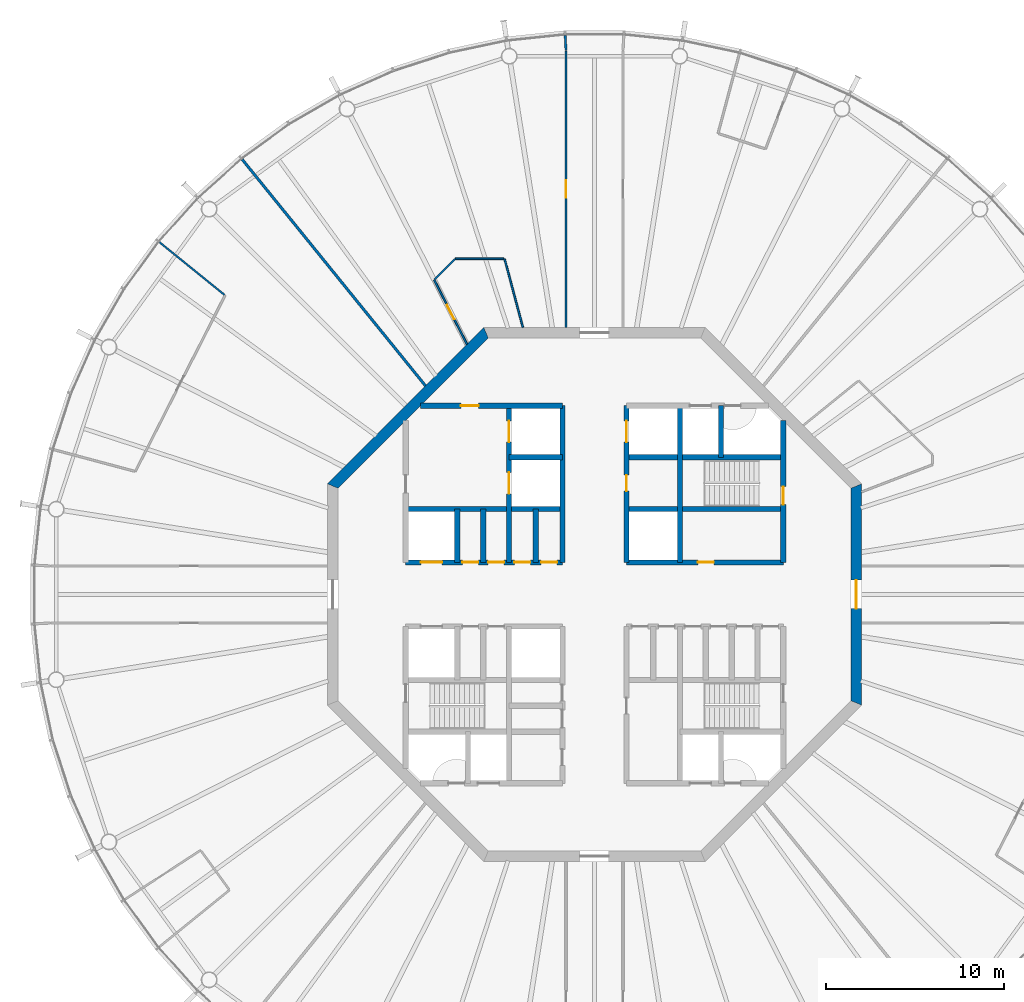
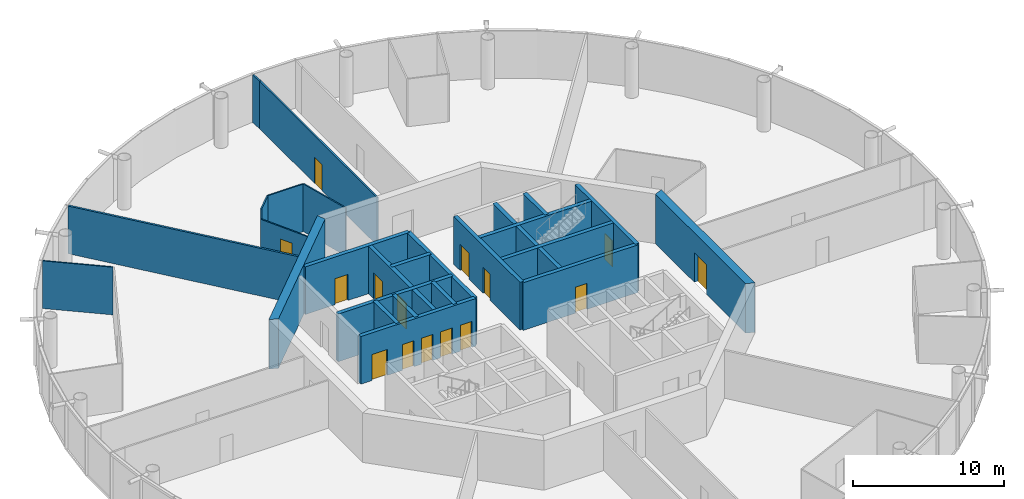
# One storey, part 5 of 18: 26 walls, 15 doors, 15 openings.
"""IFC4 building model written with IfcOpenShell, lengths in metres."""

from ifc_helpers import new_model, si_unit, direction, frame, frame_2d, origin, place, context, subcontext, project, spatial, polyline, rectangle, outline, extrude, material, layer, layer_set, type_object, element, fill, save


model = new_model("IFC4")

# Units and contexts
model_context = context("Model", 3, precision=1e-05, world=origin(), true_north=direction((0.0, 1.0)))
body_context = subcontext(model_context, "Body", "Model", "MODEL_VIEW")
ifc_project = project(units=[si_unit("LENGTHUNIT", "METRE"), si_unit("AREAUNIT", "SQUARE_METRE"), si_unit("VOLUMEUNIT", "CUBIC_METRE"), si_unit("PLANEANGLEUNIT", "RADIAN"), si_unit("MASSUNIT", "GRAM", prefix="KILO")], contexts=[model_context])

# Site, building, storey
site_placement = place(None, origin())
site = spatial("IfcSite", under=ifc_project, at=site_placement, CompositionType="ELEMENT")
building_placement = place(site_placement, origin())
building = spatial("IfcBuilding", under=site, at=building_placement, Name="Entoto Ring Tower", CompositionType="ELEMENT")
storey_placement = place(building_placement, frame((0.0, 0.0, 388.0)))
storey = spatial("IfcBuildingStorey", under=building, at=storey_placement, Name="L90", CompositionType="ELEMENT", Elevation=388.0)

# Wall, opening, door
ifc_material_1 = material(Name="Concrete C40/50", Category="concrete")
ifc_layer_1 = layer(ifc_material_1, 0.300048828125)
ifc_layer_set_1 = layer_set([ifc_layer_1], Name="Concrete C40/50")
wall_type_1 = type_object("IfcWallType", Name="Core enclosure wall 300 mm reinforced concrete", PredefinedType="SOLIDWALL", material=ifc_layer_set_1)
wall_1_placement = place(storey_placement, frame((100.60009765625, 81.800048828125, 0.0), z_axis=(0.0, 0.0, 1.0), x_axis=(0.0, 1.0, 0.0)))
wall_1 = element("IfcWall", 1, at=wall_1_placement, inside=storey, type_object=wall_type_1, Name="wall-L90-002", PredefinedType="SOLIDWALL", context=body_context, shape_type="SweptSolid", body=[
    extrude(rectangle(XDim=7.964599609375, YDim=0.300048828125, at=frame_2d((3.982421875, 0.0))), origin(), (0.0, 0.0, 1.0), 3.85009765625),
])
opening_1_placement = place(wall_1_placement, frame((3.25, 0.0, 0.0)))
opening_1 = element("IfcOpeningElement", 2, at=opening_1_placement, cuts=wall_1, Name="Opening K-29", PredefinedType="OPENING", context=body_context, shape_type="SweptSolid", body=[
    extrude(rectangle(XDim=1.0, YDim=2.10009765625, at=frame_2d((0.5, 1.050048828125))), frame((0.0, 0.16015625, 0.0), z_axis=(0.0, -1.0, 0.0), x_axis=(1.0, 0.0, 0.0)), (0.0, 0.0, 1.0), 0.320068359375),
])
ifc_material_2 = material(Name="Steel door leaf, fire rated", Category="steel")
ifc_layer_2 = layer(ifc_material_2, 0.050048828125)
ifc_layer_set_2 = layer_set([ifc_layer_2], Name="Steel door leaf, fire rated")
door_type_1 = type_object("IfcDoorType", Name="Fire door FD60 1000 x 2100 single leaf", OperationType="NOTDEFINED", PredefinedType="DOOR", material=ifc_layer_set_2)
door_1_placement = place(opening_1_placement, origin())
door_1 = element("IfcDoor", 3, at=door_1_placement, inside=storey, type_object=door_type_1, Name="Door K-29", OperationType="SINGLE_SWING_LEFT", OverallHeight=2.10009765625, OverallWidth=1.0, PredefinedType="DOOR", context=body_context, shape_type="SweptSolid", body=[
    extrude(rectangle(XDim=1.0, YDim=2.10009765625, at=frame_2d((0.5, 1.050048828125))), frame((0.0, 0.02490234375, 0.0), z_axis=(0.0, -1.0, 0.0), x_axis=(1.0, 0.0, 0.0)), (0.0, 0.0, 1.0), 0.050048828125),
])
fill(opening_1, door_1)

# Walls
wall_2_placement = place(storey_placement, frame((97.10009765625, 87.699951171875, 0.0), z_axis=(0.0, 0.0, 1.0), x_axis=(0.0, 1.0, 0.0)))
element("IfcWall", 4, at=wall_2_placement, inside=storey, type_object=wall_type_1, Name="wall-L90-006", PredefinedType="SOLIDWALL", context=body_context, shape_type="SweptSolid", body=[
    extrude(rectangle(XDim=2.900146484375, YDim=0.300048828125, at=frame_2d((1.4501953125, 0.0))), origin(), (0.0, 0.0, 1.0), 3.85009765625),
])
wall_3_placement = place(storey_placement, frame((94.800048828125, 81.800048828125, 0.0), z_axis=(0.0, 0.0, 1.0), x_axis=(0.0, 1.0, 0.0)))
element("IfcWall", 5, at=wall_3_placement, inside=storey, type_object=wall_type_1, Name="wall-L90-009", PredefinedType="SOLIDWALL", context=body_context, shape_type="SweptSolid", body=[
    extrude(rectangle(XDim=8.800048828125, YDim=0.300048828125, at=frame_2d((4.39990234375, 0.0))), origin(), (0.0, 0.0, 1.0), 3.85009765625),
])

# Wall, openings, doors
wall_4_placement = place(storey_placement, frame((91.800048828125, 81.800048828125, 0.0), z_axis=(0.0, 0.0, 1.0), x_axis=(0.0, 1.0, 0.0)))
wall_4 = element("IfcWall", 6, at=wall_4_placement, inside=storey, type_object=wall_type_1, Name="wall-L90-012", PredefinedType="SOLIDWALL", context=body_context, shape_type="SweptSolid", body=[
    extrude(rectangle(XDim=8.800048828125, YDim=0.300048828125, at=frame_2d((4.39990234375, 0.0))), origin(), (0.0, 0.0, 1.0), 3.85009765625),
])
opening_2_placement = place(wall_4_placement, frame((6.75, 0.0, 0.0)))
opening_2 = element("IfcOpeningElement", 7, at=opening_2_placement, cuts=wall_4, Name="Opening LD", PredefinedType="OPENING", context=body_context, shape_type="SweptSolid", body=[
    extrude(rectangle(XDim=1.199951171875, YDim=2.10009765625, at=frame_2d((0.60009765625, 1.050048828125))), frame((0.0, 0.16015625, 0.0), z_axis=(0.0, -1.0, 0.0), x_axis=(1.0, 0.0, 0.0)), (0.0, 0.0, 1.0), 0.320068359375),
])
opening_3_placement = place(wall_4_placement, frame((4.0, 0.0, 0.0)))
opening_3 = element("IfcOpeningElement", 8, at=opening_3_placement, cuts=wall_4, Name="Opening K-63", PredefinedType="OPENING", context=body_context, shape_type="SweptSolid", body=[
    extrude(rectangle(XDim=0.89990234375, YDim=2.10009765625, at=frame_2d((0.449951171875, 1.050048828125))), frame((0.0, 0.16015625, 0.0), z_axis=(0.0, -1.0, 0.0), x_axis=(1.0, 0.0, 0.0)), (0.0, 0.0, 1.0), 0.320068359375),
])
ifc_material_3 = material(Name="Steel door leaf, fire rated", Category="steel")
ifc_layer_3 = layer(ifc_material_3, 0.050048828125)
ifc_layer_set_3 = layer_set([ifc_layer_3], Name="Steel door leaf, fire rated")
door_type_2 = type_object("IfcDoorType", Name="Core door 900 x 2100 single leaf", OperationType="NOTDEFINED", PredefinedType="DOOR", material=ifc_layer_set_3)
door_2_placement = place(opening_3_placement, frame((0.89990234375, 0.0, 0.0), z_axis=(0.0, 0.0, 1.0), x_axis=(-1.0, 0.0, 0.0)))
door_2 = element("IfcDoor", 9, at=door_2_placement, inside=storey, type_object=door_type_2, Name="Door K-63", OperationType="SINGLE_SWING_RIGHT", OverallHeight=2.10009765625, OverallWidth=0.89990234375, PredefinedType="DOOR", context=body_context, shape_type="SweptSolid", body=[
    extrude(rectangle(XDim=0.89990234375, YDim=2.10009765625, at=frame_2d((0.449951171875, 1.050048828125))), frame((0.0, 0.02490234375, 0.0), z_axis=(0.0, -1.0, 0.0), x_axis=(1.0, 0.0, 0.0)), (0.0, 0.0, 1.0), 0.050048828125),
])
fill(opening_3, door_2)
ifc_material_4 = material(Name="Steel and glass door leaf", Category="steel")
ifc_layer_4 = layer(ifc_material_4, 0.050048828125)
ifc_layer_set_4 = layer_set([ifc_layer_4], Name="Steel and glass door leaf")
door_type_3 = type_object("IfcDoorType", Name="Landing door 1200 x 2100 sliding", OperationType="DOUBLE_DOOR_SLIDING", PredefinedType="DOOR", material=ifc_layer_set_4)
door_3_placement = place(opening_2_placement, origin())
door_3 = element("IfcDoor", 10, at=door_3_placement, inside=storey, type_object=door_type_3, Name="Landing door SH3", OperationType="SLIDING_TO_RIGHT", OverallHeight=2.10009765625, OverallWidth=1.199951171875, PredefinedType="DOOR", context=body_context, shape_type="SweptSolid", body=[
    extrude(rectangle(XDim=1.199951171875, YDim=2.10009765625, at=frame_2d((0.60009765625, 1.050048828125))), frame((0.0, 0.02490234375, 0.0), z_axis=(0.0, -1.0, 0.0), x_axis=(1.0, 0.0, 0.0)), (0.0, 0.0, 1.0), 0.050048828125),
])
fill(opening_2, door_3)

# Walls
wall_5_placement = place(storey_placement, frame((88.199951171875, 81.800048828125, 0.0), z_axis=(0.0, 0.0, 1.0), x_axis=(0.0, 1.0, 0.0)))
element("IfcWall", 11, at=wall_5_placement, inside=storey, type_object=wall_type_1, Name="wall-L90-014", PredefinedType="SOLIDWALL", context=body_context, shape_type="SweptSolid", body=[
    extrude(rectangle(XDim=8.800048828125, YDim=0.300048828125, at=frame_2d((4.39990234375, 0.0))), origin(), (0.0, 0.0, 1.0), 3.85009765625),
])
wall_6_placement = place(storey_placement, frame((86.699951171875, 81.800048828125, 0.0), z_axis=(0.0, 0.0, 1.0), x_axis=(0.0, 1.0, 0.0)))
element("IfcWall", 12, at=wall_6_placement, inside=storey, type_object=wall_type_1, Name="wall-L90-015", PredefinedType="SOLIDWALL", context=body_context, shape_type="SweptSolid", body=[
    extrude(rectangle(XDim=3.0, YDim=0.300048828125, at=frame_2d((1.5, 0.0))), origin(), (0.0, 0.0, 1.0), 3.85009765625),
])

# Wall, openings, doors
wall_7_placement = place(storey_placement, frame((85.199951171875, 81.800048828125, 0.0), z_axis=(0.0, 0.0, 1.0), x_axis=(0.0, 1.0, 0.0)))
wall_7 = element("IfcWall", 13, at=wall_7_placement, inside=storey, type_object=wall_type_1, Name="wall-L90-017", PredefinedType="SOLIDWALL", context=body_context, shape_type="SweptSolid", body=[
    extrude(rectangle(XDim=8.800048828125, YDim=0.300048828125, at=frame_2d((4.39990234375, 0.0))), origin(), (0.0, 0.0, 1.0), 3.85009765625),
])
opening_4_placement = place(wall_7_placement, frame((3.85009765625, 0.0, 0.0)))
opening_4 = element("IfcOpeningElement", 14, at=opening_4_placement, cuts=wall_7, Name="Opening LD", PredefinedType="OPENING", context=body_context, shape_type="SweptSolid", body=[
    extrude(rectangle(XDim=1.199951171875, YDim=2.10009765625, at=frame_2d((0.60009765625, 1.050048828125))), frame((0.0, 0.16015625, 0.0), z_axis=(0.0, -1.0, 0.0), x_axis=(1.0, 0.0, 0.0)), (0.0, 0.0, 1.0), 0.320068359375),
])
opening_5_placement = place(wall_7_placement, frame((6.75, 0.0, 0.0)))
opening_5 = element("IfcOpeningElement", 15, at=opening_5_placement, cuts=wall_7, Name="Opening LD", PredefinedType="OPENING", context=body_context, shape_type="SweptSolid", body=[
    extrude(rectangle(XDim=1.199951171875, YDim=2.10009765625, at=frame_2d((0.60009765625, 1.050048828125))), frame((0.0, 0.16015625, 0.0), z_axis=(0.0, -1.0, 0.0), x_axis=(1.0, 0.0, 0.0)), (0.0, 0.0, 1.0), 0.320068359375),
])
door_4_placement = place(opening_4_placement, origin())
door_4 = element("IfcDoor", 16, at=door_4_placement, inside=storey, type_object=door_type_3, Name="Landing door FF1", OperationType="SLIDING_TO_RIGHT", OverallHeight=2.10009765625, OverallWidth=1.199951171875, PredefinedType="DOOR", context=body_context, shape_type="SweptSolid", body=[
    extrude(rectangle(XDim=1.199951171875, YDim=2.10009765625, at=frame_2d((0.60009765625, 1.050048828125))), frame((0.0, 0.02490234375, 0.0), z_axis=(0.0, -1.0, 0.0), x_axis=(1.0, 0.0, 0.0)), (0.0, 0.0, 1.0), 0.050048828125),
])
fill(opening_4, door_4)
door_5_placement = place(opening_5_placement, origin())
door_5 = element("IfcDoor", 17, at=door_5_placement, inside=storey, type_object=door_type_3, Name="Landing door FF2", OperationType="SLIDING_TO_RIGHT", OverallHeight=2.10009765625, OverallWidth=1.199951171875, PredefinedType="DOOR", context=body_context, shape_type="SweptSolid", body=[
    extrude(rectangle(XDim=1.199951171875, YDim=2.10009765625, at=frame_2d((0.60009765625, 1.050048828125))), frame((0.0, 0.02490234375, 0.0), z_axis=(0.0, -1.0, 0.0), x_axis=(1.0, 0.0, 0.0)), (0.0, 0.0, 1.0), 0.050048828125),
])
fill(opening_5, door_5)

# Walls
for number, where, z_axis, x_axis, name in (
    (18, (83.75, 81.800048828125, 0.0), (0.0, 0.0, 1.0), (0.0, 1.0, 0.0), "wall-L90-019"),
    (19, (82.300048828125, 81.800048828125, 0.0), (0.0, 0.0, 1.0), (0.0, 1.0, 0.0), "wall-L90-022"),
):
    element("IfcWall", number, at=place(storey_placement, frame(where, z_axis=z_axis, x_axis=x_axis)), inside=storey, type_object=wall_type_1, Name=name, PredefinedType="SOLIDWALL", context=body_context, shape_type="SweptSolid", body=[
        extrude(rectangle(XDim=3.0, YDim=0.300048828125, at=frame_2d((1.5, 0.0))), origin(), (0.0, 0.0, 1.0), 3.85009765625),
    ])

# Wall, openings, doors
wall_8_placement = place(storey_placement, frame((79.39990234375, 81.800048828125, 0.0), z_axis=(0.0, 0.0, 1.0), x_axis=(1.0, 0.0, 0.0)))
wall_8 = element("IfcWall", 20, at=wall_8_placement, inside=storey, type_object=wall_type_1, Name="wall-L90-034", PredefinedType="SOLIDWALL", context=body_context, shape_type="SweptSolid", body=[
    extrude(rectangle(XDim=8.800048828125, YDim=0.300048828125, at=frame_2d((4.39990234375, 0.0))), origin(), (0.0, 0.0, 1.0), 3.85009765625),
])
opening_6_placement = place(wall_8_placement, frame((0.85009765625, 0.0, 0.0)))
opening_6 = element("IfcOpeningElement", 21, at=opening_6_placement, cuts=wall_8, Name="Opening LD", PredefinedType="OPENING", context=body_context, shape_type="SweptSolid", body=[
    extrude(rectangle(XDim=1.199951171875, YDim=2.10009765625, at=frame_2d((0.60009765625, 1.050048828125))), frame((0.0, 0.16015625, 0.0), z_axis=(0.0, -1.0, 0.0), x_axis=(1.0, 0.0, 0.0)), (0.0, 0.0, 1.0), 0.320068359375),
])
opening_7_placement = place(wall_8_placement, frame((3.175048828125, 0.0, 0.0)))
opening_7 = element("IfcOpeningElement", 22, at=opening_7_placement, cuts=wall_8, Name="Opening K-12", PredefinedType="OPENING", context=body_context, shape_type="SweptSolid", body=[
    extrude(rectangle(XDim=0.89990234375, YDim=2.10009765625, at=frame_2d((0.449951171875, 1.050048828125))), frame((0.0, 0.16015625, 0.0), z_axis=(0.0, -1.0, 0.0), x_axis=(1.0, 0.0, 0.0)), (0.0, 0.0, 1.0), 0.320068359375),
])
opening_8_placement = place(wall_8_placement, frame((4.625, 0.0, 0.0)))
opening_8 = element("IfcOpeningElement", 23, at=opening_8_placement, cuts=wall_8, Name="Opening K-46", PredefinedType="OPENING", context=body_context, shape_type="SweptSolid", body=[
    extrude(rectangle(XDim=0.89990234375, YDim=2.10009765625, at=frame_2d((0.449951171875, 1.050048828125))), frame((0.0, 0.16015625, 0.0), z_axis=(0.0, -1.0, 0.0), x_axis=(1.0, 0.0, 0.0)), (0.0, 0.0, 1.0), 0.320068359375),
])
opening_9_placement = place(wall_8_placement, frame((6.10009765625, 0.0, 0.0)))
opening_9 = element("IfcOpeningElement", 24, at=opening_9_placement, cuts=wall_8, Name="Opening K-25", PredefinedType="OPENING", context=body_context, shape_type="SweptSolid", body=[
    extrude(rectangle(XDim=0.89990234375, YDim=2.10009765625, at=frame_2d((0.449951171875, 1.050048828125))), frame((0.0, 0.16015625, 0.0), z_axis=(0.0, -1.0, 0.0), x_axis=(1.0, 0.0, 0.0)), (0.0, 0.0, 1.0), 0.320068359375),
])
opening_10_placement = place(wall_8_placement, frame((7.60009765625, 0.0, 0.0)))
opening_10 = element("IfcOpeningElement", 25, at=opening_10_placement, cuts=wall_8, Name="Opening K-77", PredefinedType="OPENING", context=body_context, shape_type="SweptSolid", body=[
    extrude(rectangle(XDim=0.89990234375, YDim=2.10009765625, at=frame_2d((0.449951171875, 1.050048828125))), frame((0.0, 0.16015625, 0.0), z_axis=(0.0, -1.0, 0.0), x_axis=(1.0, 0.0, 0.0)), (0.0, 0.0, 1.0), 0.320068359375),
])
door_6_placement = place(opening_7_placement, origin())
door_6 = element("IfcDoor", 26, at=door_6_placement, inside=storey, type_object=door_type_2, Name="Door K-12", OperationType="SINGLE_SWING_RIGHT", OverallHeight=2.10009765625, OverallWidth=0.89990234375, PredefinedType="DOOR", context=body_context, shape_type="SweptSolid", body=[
    extrude(rectangle(XDim=0.89990234375, YDim=2.10009765625, at=frame_2d((0.449951171875, 1.050048828125))), frame((0.0, 0.02490234375, 0.0), z_axis=(0.0, -1.0, 0.0), x_axis=(1.0, 0.0, 0.0)), (0.0, 0.0, 1.0), 0.050048828125),
])
fill(opening_7, door_6)
door_7_placement = place(opening_8_placement, origin())
door_7 = element("IfcDoor", 27, at=door_7_placement, inside=storey, type_object=door_type_2, Name="Door K-46", OperationType="SINGLE_SWING_RIGHT", OverallHeight=2.10009765625, OverallWidth=0.89990234375, PredefinedType="DOOR", context=body_context, shape_type="SweptSolid", body=[
    extrude(rectangle(XDim=0.89990234375, YDim=2.10009765625, at=frame_2d((0.449951171875, 1.050048828125))), frame((0.0, 0.02490234375, 0.0), z_axis=(0.0, -1.0, 0.0), x_axis=(1.0, 0.0, 0.0)), (0.0, 0.0, 1.0), 0.050048828125),
])
fill(opening_8, door_7)
door_8_placement = place(opening_9_placement, origin())
door_8 = element("IfcDoor", 28, at=door_8_placement, inside=storey, type_object=door_type_2, Name="Door K-25", OperationType="SINGLE_SWING_LEFT", OverallHeight=2.10009765625, OverallWidth=0.89990234375, PredefinedType="DOOR", context=body_context, shape_type="SweptSolid", body=[
    extrude(rectangle(XDim=0.89990234375, YDim=2.10009765625, at=frame_2d((0.449951171875, 1.050048828125))), frame((0.0, 0.02490234375, 0.0), z_axis=(0.0, -1.0, 0.0), x_axis=(1.0, 0.0, 0.0)), (0.0, 0.0, 1.0), 0.050048828125),
])
fill(opening_9, door_8)
door_9_placement = place(opening_10_placement, origin())
door_9 = element("IfcDoor", 29, at=door_9_placement, inside=storey, type_object=door_type_2, Name="Door K-77", OperationType="SINGLE_SWING_LEFT", OverallHeight=2.10009765625, OverallWidth=0.89990234375, PredefinedType="DOOR", context=body_context, shape_type="SweptSolid", body=[
    extrude(rectangle(XDim=0.89990234375, YDim=2.10009765625, at=frame_2d((0.449951171875, 1.050048828125))), frame((0.0, 0.02490234375, 0.0), z_axis=(0.0, -1.0, 0.0), x_axis=(1.0, 0.0, 0.0)), (0.0, 0.0, 1.0), 0.050048828125),
])
fill(opening_10, door_9)
door_10_placement = place(opening_6_placement, origin())
door_10 = element("IfcDoor", 30, at=door_10_placement, inside=storey, type_object=door_type_3, Name="Landing door SH1", OperationType="SLIDING_TO_RIGHT", OverallHeight=2.10009765625, OverallWidth=1.199951171875, PredefinedType="DOOR", context=body_context, shape_type="SweptSolid", body=[
    extrude(rectangle(XDim=1.199951171875, YDim=2.10009765625, at=frame_2d((0.60009765625, 1.050048828125))), frame((0.0, 0.02490234375, 0.0), z_axis=(0.0, -1.0, 0.0), x_axis=(1.0, 0.0, 0.0)), (0.0, 0.0, 1.0), 0.050048828125),
])
fill(opening_6, door_10)

# Wall, opening, door
wall_9_placement = place(storey_placement, frame((91.800048828125, 81.800048828125, 0.0), z_axis=(0.0, 0.0, 1.0), x_axis=(1.0, 0.0, 0.0)))
wall_9 = element("IfcWall", 31, at=wall_9_placement, inside=storey, type_object=wall_type_1, Name="wall-L90-035", PredefinedType="SOLIDWALL", context=body_context, shape_type="SweptSolid", body=[
    extrude(rectangle(XDim=8.800048828125, YDim=0.300048828125, at=frame_2d((4.39990234375, 0.0))), origin(), (0.0, 0.0, 1.0), 3.85009765625),
])
opening_11_placement = place(wall_9_placement, frame((4.0, 0.0, 0.0)))
opening_11 = element("IfcOpeningElement", 32, at=opening_11_placement, cuts=wall_9, Name="Opening K-11", PredefinedType="OPENING", context=body_context, shape_type="SweptSolid", body=[
    extrude(rectangle(XDim=0.89990234375, YDim=2.10009765625, at=frame_2d((0.449951171875, 1.050048828125))), frame((0.0, 0.16015625, 0.0), z_axis=(0.0, -1.0, 0.0), x_axis=(1.0, 0.0, 0.0)), (0.0, 0.0, 1.0), 0.320068359375),
])
door_11_placement = place(opening_11_placement, origin())
door_11 = element("IfcDoor", 33, at=door_11_placement, inside=storey, type_object=door_type_2, Name="Door K-11", OperationType="SINGLE_SWING_LEFT", OverallHeight=2.10009765625, OverallWidth=0.89990234375, PredefinedType="DOOR", context=body_context, shape_type="SweptSolid", body=[
    extrude(rectangle(XDim=0.89990234375, YDim=2.10009765625, at=frame_2d((0.449951171875, 1.050048828125))), frame((0.0, 0.02490234375, 0.0), z_axis=(0.0, -1.0, 0.0), x_axis=(1.0, 0.0, 0.0)), (0.0, 0.0, 1.0), 0.050048828125),
])
fill(opening_11, door_11)

# Walls
for number, where, z_axis, x_axis, name in (
    (34, (79.39990234375, 84.800048828125, 0.0), (0.0, 0.0, 1.0), (1.0, 0.0, 0.0), "wall-L90-036"),
    (35, (91.800048828125, 84.800048828125, 0.0), (0.0, 0.0, 1.0), (1.0, 0.0, 0.0), "wall-L90-037"),
):
    element("IfcWall", number, at=place(storey_placement, frame(where, z_axis=z_axis, x_axis=x_axis)), inside=storey, type_object=wall_type_1, Name=name, PredefinedType="SOLIDWALL", context=body_context, shape_type="SweptSolid", body=[
        extrude(rectangle(XDim=8.800048828125, YDim=0.300048828125, at=frame_2d((4.39990234375, 0.0))), origin(), (0.0, 0.0, 1.0), 3.85009765625),
    ])
wall_10_placement = place(storey_placement, frame((85.199951171875, 87.699951171875, 0.0), z_axis=(0.0, 0.0, 1.0), x_axis=(1.0, 0.0, 0.0)))
element("IfcWall", 36, at=wall_10_placement, inside=storey, type_object=wall_type_1, Name="wall-L90-038", PredefinedType="SOLIDWALL", context=body_context, shape_type="SweptSolid", body=[
    extrude(rectangle(XDim=3.0, YDim=0.300048828125, at=frame_2d((1.5, 0.0))), origin(), (0.0, 0.0, 1.0), 3.85009765625),
])
wall_11_placement = place(storey_placement, frame((91.800048828125, 87.699951171875, 0.0), z_axis=(0.0, 0.0, 1.0), x_axis=(1.0, 0.0, 0.0)))
element("IfcWall", 37, at=wall_11_placement, inside=storey, type_object=wall_type_1, Name="wall-L90-039", PredefinedType="SOLIDWALL", context=body_context, shape_type="SweptSolid", body=[
    extrude(rectangle(XDim=8.800048828125, YDim=0.300048828125, at=frame_2d((4.39990234375, 0.0))), origin(), (0.0, 0.0, 1.0), 3.85009765625),
])

# Wall, opening, door
wall_12_placement = place(storey_placement, frame((80.2353515625, 90.60009765625, 0.0), z_axis=(0.0, 0.0, 1.0), x_axis=(1.0, 0.0, 0.0)))
wall_12 = element("IfcWall", 38, at=wall_12_placement, inside=storey, type_object=wall_type_1, Name="wall-L90-040", PredefinedType="SOLIDWALL", context=body_context, shape_type="SweptSolid", body=[
    extrude(rectangle(XDim=7.964599609375, YDim=0.300048828125, at=frame_2d((3.982421875, 0.0))), origin(), (0.0, 0.0, 1.0), 3.85009765625),
])
opening_12_placement = place(wall_12_placement, frame((2.2646484375, 0.0, 0.0)))
opening_12 = element("IfcOpeningElement", 39, at=opening_12_placement, cuts=wall_12, Name="Opening K-36", PredefinedType="OPENING", context=body_context, shape_type="SweptSolid", body=[
    extrude(rectangle(XDim=1.0, YDim=2.10009765625, at=frame_2d((0.5, 1.050048828125))), frame((0.0, 0.16015625, 0.0), z_axis=(0.0, -1.0, 0.0), x_axis=(1.0, 0.0, 0.0)), (0.0, 0.0, 1.0), 0.320068359375),
])
door_12_placement = place(opening_12_placement, frame((1.0, 0.0, 0.0), z_axis=(0.0, 0.0, 1.0), x_axis=(-1.0, 0.0, 0.0)))
door_12 = element("IfcDoor", 40, at=door_12_placement, inside=storey, type_object=door_type_1, Name="Door K-36", OperationType="SINGLE_SWING_LEFT", OverallHeight=2.10009765625, OverallWidth=1.0, PredefinedType="DOOR", context=body_context, shape_type="SweptSolid", body=[
    extrude(rectangle(XDim=1.0, YDim=2.10009765625, at=frame_2d((0.5, 1.050048828125))), frame((0.0, 0.02490234375, 0.0), z_axis=(0.0, -1.0, 0.0), x_axis=(1.0, 0.0, 0.0)), (0.0, 0.0, 1.0), 0.050048828125),
])
fill(opening_12, door_12)

ifc_material_5 = material(Name="Concrete C40/50", Category="concrete")
ifc_layer_5 = layer(ifc_material_5, 0.60009765625)
ifc_layer_set_5 = layer_set([ifc_layer_5], Name="Concrete C40/50")
wall_type_2 = type_object("IfcWallType", Name="Core shear wall 600 mm reinforced concrete C40/50", PredefinedType="SHEAR", material=ifc_layer_set_5)
wall_13_placement = place(storey_placement, frame((104.699951171875, 73.9111328125, 0.0), z_axis=(0.0, 0.0, 1.0), x_axis=(0.0, 1.0, 0.0)))
wall_13 = element("IfcWall", 41, at=wall_13_placement, inside=storey, type_object=wall_type_2, Name="wall-L90-core-0", PredefinedType="SHEAR", context=body_context, shape_type="SweptSolid", body=[
    extrude(outline(polyline([(-0.124267578125, -0.300048828125), (12.302001953125, -0.300048828125), (12.053466796875, 0.300048828125), (0.124267578125, 0.300048828125), (-0.124267578125, -0.300048828125)])), origin(), (0.0, 0.0, 1.0), 4.0),
])
opening_13_placement = place(wall_13_placement, frame((5.288818359375, 0.0, 0.0)))
opening_13 = element("IfcOpeningElement", 42, at=opening_13_placement, cuts=wall_13, Name="Opening K-01", PredefinedType="OPENING", context=body_context, shape_type="SweptSolid", body=[
    extrude(rectangle(XDim=1.60009765625, YDim=2.39990234375, at=frame_2d((0.800048828125, 1.199951171875))), frame((0.0, 0.31005859375, 0.0), z_axis=(0.0, -1.0, 0.0), x_axis=(1.0, 0.0, 0.0)), (0.0, 0.0, 1.0), 0.6201171875),
])
ifc_material_6 = material(Name="Steel door leaf, fire rated", Category="steel")
ifc_layer_6 = layer(ifc_material_6, 0.050048828125)
ifc_layer_set_6 = layer_set([ifc_layer_6], Name="Steel door leaf, fire rated")
door_type_4 = type_object("IfcDoorType", Name="Entrance door FD60 1600 x 2400 double leaf", OperationType="DOUBLE_DOOR_SINGLE_SWING", PredefinedType="DOOR", material=ifc_layer_set_6)
door_13_placement = place(opening_13_placement, origin())
door_13 = element("IfcDoor", 43, at=door_13_placement, inside=storey, type_object=door_type_4, Name="Entrance door K-01", OperationType="DOUBLE_DOOR_SINGLE_SWING", OverallHeight=2.39990234375, OverallWidth=1.60009765625, PredefinedType="DOOR", context=body_context, shape_type="SweptSolid", body=[
    extrude(rectangle(XDim=1.60009765625, YDim=2.39990234375, at=frame_2d((0.800048828125, 1.199951171875))), frame((0.0, 0.02490234375, 0.0), z_axis=(0.0, -1.0, 0.0), x_axis=(1.0, 0.0, 0.0)), (0.0, 0.0, 1.0), 0.050048828125),
])
fill(opening_13, door_13)

# Wall
wall_14_placement = place(storey_placement, frame((83.9111328125, 94.699951171875, 0.0), z_axis=(0.0, 0.0, 1.0), x_axis=(-0.707106781187, -0.707106781187, 0.0)))
element("IfcWall", 44, at=wall_14_placement, inside=storey, type_object=wall_type_2, Name="wall-L90-core-3", PredefinedType="SHEAR", context=body_context, shape_type="SweptSolid", body=[
    extrude(outline(polyline([(-0.124267578125, -0.300048828125), (12.30224609375, -0.300048828125), (12.0537109375, 0.300048828125), (0.124267578125, 0.300048828125), (-0.124267578125, -0.300048828125)])), origin(), (0.0, 0.0, 1.0), 4.0),
])

# Wall, opening, door
ifc_material_7 = material(Name="Fire-resisting plasterboard on steel studs", Category="steel")
ifc_layer_7 = layer(ifc_material_7, 0.125)
ifc_layer_set_7 = layer_set([ifc_layer_7], Name="Fire-resisting plasterboard on steel studs")
wall_type_3 = type_object("IfcWallType", Name="Corridor wall 125 mm one-hour plasterboard on steel studs", PredefinedType="PARTITIONING", material=ifc_layer_set_7)
wall_15_placement = place(storey_placement, frame((88.39990234375, 95.0, 0.0), z_axis=(0.0, 0.0, 1.0), x_axis=(0.0, 1.0, 0.0)))
wall_15 = element("IfcWall", 45, at=wall_15_placement, inside=storey, type_object=wall_type_3, Name="partition-L90-004", PredefinedType="PARTITIONING", context=body_context, shape_type="SweptSolid", body=[
    extrude(rectangle(XDim=15.52978515625, YDim=0.125, at=frame_2d((7.764892578125, 0.0))), origin(), (0.0, 0.0, 1.0), 3.85009765625),
])
opening_14_placement = place(wall_15_placement, frame((7.264892578125, 0.0, 0.0)))
opening_14 = element("IfcOpeningElement", 46, at=opening_14_placement, cuts=wall_15, Name="Opening A38-D05", PredefinedType="OPENING", context=body_context, shape_type="SweptSolid", body=[
    extrude(rectangle(XDim=1.0, YDim=2.10009765625, at=frame_2d((0.5, 1.050048828125))), frame((0.0, 0.072509765625, 0.0), z_axis=(0.0, -1.0, 0.0), x_axis=(1.0, 0.0, 0.0)), (0.0, 0.0, 1.0), 0.14501953125),
])
ifc_material_8 = material(Name="Fire-resisting timber door set", Category="wood")
door_type_5 = type_object("IfcDoorType", Name="Door 1000 x 2100 single leaf FD30S fire door", OperationType="NOTDEFINED", PredefinedType="DOOR", material=ifc_material_8)
door_14_placement = place(opening_14_placement, origin())
door_14 = element("IfcDoor", 47, at=door_14_placement, inside=storey, type_object=door_type_5, Name="Door A38-D05", OperationType="SINGLE_SWING_LEFT", OverallHeight=2.10009765625, OverallWidth=1.0, PredefinedType="DOOR", context=body_context, shape_type="SweptSolid", body=[
    extrude(rectangle(XDim=1.0, YDim=2.10009765625, at=frame_2d((0.5, 1.050048828125))), frame((0.0, 0.02490234375, 0.0), z_axis=(0.0, -1.0, 0.0), x_axis=(1.0, 0.0, 0.0)), (0.0, 0.0, 1.0), 0.050048828125),
])
fill(opening_14, door_14)

# Walls
wall_16_placement = place(storey_placement, frame((88.39990234375, 110.533203125, 0.0), z_axis=(0.0, 0.0, 1.0), x_axis=(-0.052499574911, 0.998620946423, 0.0)))
element("IfcWall", 48, at=wall_16_placement, inside=storey, type_object=wall_type_3, Name="partition-L90-012", PredefinedType="PARTITIONING", context=body_context, shape_type="SweptSolid", body=[
    extrude(rectangle(XDim=0.864990234375, YDim=0.125, at=frame_2d((0.4326171875, 0.0))), origin(), (0.0, 0.0, 1.0), 3.85009765625),
])
ifc_material_9 = material(Name="Plasterboard on steel studs", Category="steel")
ifc_layer_8 = layer(ifc_material_9, 0.10009765625)
ifc_layer_set_8 = layer_set([ifc_layer_8], Name="Plasterboard on steel studs")
wall_type_4 = type_object("IfcWallType", Name="Partition 100 mm plasterboard on steel studs", PredefinedType="PARTITIONING", material=ifc_layer_set_8)
wall_17_placement = place(storey_placement, frame((69.219970703125, 96.827392578125, 0.0), z_axis=(0.0, 0.0, 1.0), x_axis=(-0.777156579316, 0.62930727886, 0.0)))
element("IfcWall", 49, at=wall_17_placement, inside=storey, type_object=wall_type_4, Name="partition-L90-028", PredefinedType="PARTITIONING", context=body_context, shape_type="SweptSolid", body=[
    extrude(rectangle(XDim=4.701171875, YDim=0.10009765625, at=frame_2d((2.3505859375, 0.0))), origin(), (0.0, 0.0, 1.0), 3.85009765625),
])
wall_18_placement = place(storey_placement, frame((85.980712890625, 95.0, 0.0), z_axis=(0.0, 0.0, 1.0), x_axis=(-0.258787112499, 0.965934382039, 0.0)))
element("IfcWall", 50, at=wall_18_placement, inside=storey, type_object=wall_type_4, Name="partition-L90-040", PredefinedType="PARTITIONING", context=body_context, shape_type="SweptSolid", body=[
    extrude(rectangle(XDim=3.98583984375, YDim=0.10009765625, at=frame_2d((1.992919921875, 0.0))), origin(), (0.0, 0.0, 1.0), 3.85009765625),
])
wall_19_placement = place(storey_placement, frame((82.192138671875, 98.85009765625, 0.0), z_axis=(0.0, 0.0, 1.0), x_axis=(1.0, 0.0, 0.0)))
element("IfcWall", 51, at=wall_19_placement, inside=storey, type_object=wall_type_4, Name="partition-L90-044", PredefinedType="PARTITIONING", context=body_context, shape_type="SweptSolid", body=[
    extrude(rectangle(XDim=2.708740234375, YDim=0.10009765625, at=frame_2d((1.3544921875, 0.0))), origin(), (0.0, 0.0, 1.0), 3.85009765625),
])
wall_20_placement = place(storey_placement, frame((81.035400390625, 97.693359375, 0.0), z_axis=(0.0, 0.0, 1.0), x_axis=(0.707106781187, 0.707106781187, 0.0)))
element("IfcWall", 52, at=wall_20_placement, inside=storey, type_object=wall_type_4, Name="partition-L90-045", PredefinedType="PARTITIONING", context=body_context, shape_type="SweptSolid", body=[
    extrude(rectangle(XDim=1.6005859375, YDim=0.10009765625, at=frame_2d((0.80029296875, 0.0))), origin(), (0.0, 0.0, 1.0), 3.85009765625),
])

# Wall, opening, door
ifc_material_10 = material(Name="Plasterboard on steel studs", Category="steel")
ifc_layer_9 = layer(ifc_material_10, 0.10009765625)
ifc_layer_set_9 = layer_set([ifc_layer_9], Name="Plasterboard on steel studs")
wall_type_5 = type_object("IfcWallType", Name="Partition 100 mm plasterboard on steel studs, 3097 mm high", PredefinedType="PARTITIONING", material=ifc_layer_set_9)
wall_21_placement = place(storey_placement, frame((82.839599609375, 94.052978515625, 0.0), z_axis=(0.0, 0.0, 1.0), x_axis=(-0.453955595384, 0.891024307985, 0.0)))
wall_21 = element("IfcWall", 53, at=wall_21_placement, inside=storey, type_object=wall_type_5, Name="partition-L90-038", PredefinedType="PARTITIONING", context=body_context, shape_type="SweptSolid", body=[
    extrude(rectangle(XDim=4.048095703125, YDim=0.10009765625, at=frame_2d((2.02392578125, 0.0))), origin(), (0.0, 0.0, 1.0), 3.096923828125),
])
opening_15_placement = place(wall_21_placement, frame((1.57421875, 0.0, 0.0)))
opening_15 = element("IfcOpeningElement", 54, at=opening_15_placement, cuts=wall_21, Name="Opening A38-D06", PredefinedType="OPENING", context=body_context, shape_type="SweptSolid", body=[
    extrude(rectangle(XDim=0.89990234375, YDim=2.10009765625, at=frame_2d((0.449951171875, 1.050048828125))), frame((0.0, 0.06005859375, 0.0), z_axis=(0.0, -1.0, 0.0), x_axis=(1.0, 0.0, 0.0)), (0.0, 0.0, 1.0), 0.1201171875),
])
ifc_material_11 = material(Name="Veneered timber door leaf in timber frame", Category="wood")
door_type_6 = type_object("IfcDoorType", Name="Door 900 x 2100 single leaf timber veneer", OperationType="NOTDEFINED", PredefinedType="DOOR", material=ifc_material_11)
door_15_placement = place(opening_15_placement, frame((0.89990234375, 0.0, 0.0), z_axis=(0.0, 0.0, 1.0), x_axis=(-1.0, 0.0, 0.0)))
door_15 = element("IfcDoor", 55, at=door_15_placement, inside=storey, type_object=door_type_6, Name="Door A38-D06", OperationType="SINGLE_SWING_RIGHT", OverallHeight=2.10009765625, OverallWidth=0.89990234375, PredefinedType="DOOR", context=body_context, shape_type="SweptSolid", body=[
    extrude(rectangle(XDim=0.89990234375, YDim=2.10009765625, at=frame_2d((0.449951171875, 1.050048828125))), frame((0.0, 0.02490234375, 0.0), z_axis=(0.0, -1.0, 0.0), x_axis=(1.0, 0.0, 0.0)), (0.0, 0.0, 1.0), 0.050048828125),
])
fill(opening_15, door_15)

# Wall
ifc_material_12 = material(Name="Fire-resisting acoustic plasterboard on steel studs", Category="steel")
ifc_layer_10 = layer(ifc_material_12, 0.14990234375)
ifc_layer_set_10 = layer_set([ifc_layer_10], Name="Fire-resisting acoustic plasterboard on steel studs")
wall_type_6 = type_object("IfcWallType", Name="Party wall 150 mm one-hour acoustic plasterboard on steel studs", PredefinedType="PARTITIONING", material=ifc_layer_set_10)
wall_22_placement = place(storey_placement, frame((80.50830078125, 91.721435546875, 0.0), z_axis=(0.0, 0.0, 1.0), x_axis=(-0.629323592667, 0.777143368827, 0.0)))
element("IfcWall", 56, at=wall_22_placement, inside=storey, type_object=wall_type_6, Name="partition-L90-018", PredefinedType="PARTITIONING", context=body_context, shape_type="SweptSolid", body=[
    extrude(rectangle(XDim=16.357666015625, YDim=0.14990234375, at=frame_2d((8.1787109375, 0.0))), origin(), (0.0, 0.0, 1.0), 3.85009765625),
])

save(model, "model.ifc")
